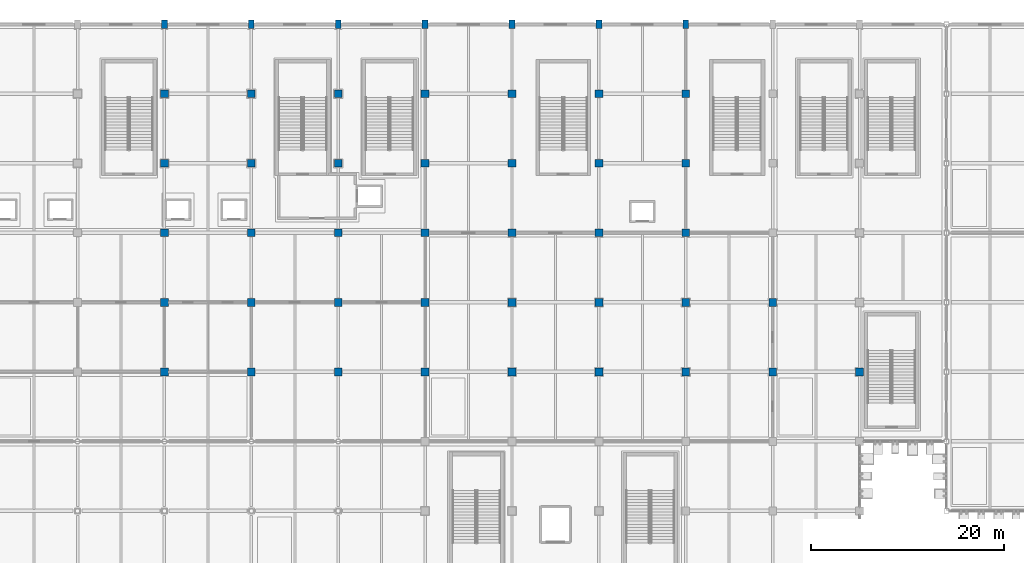
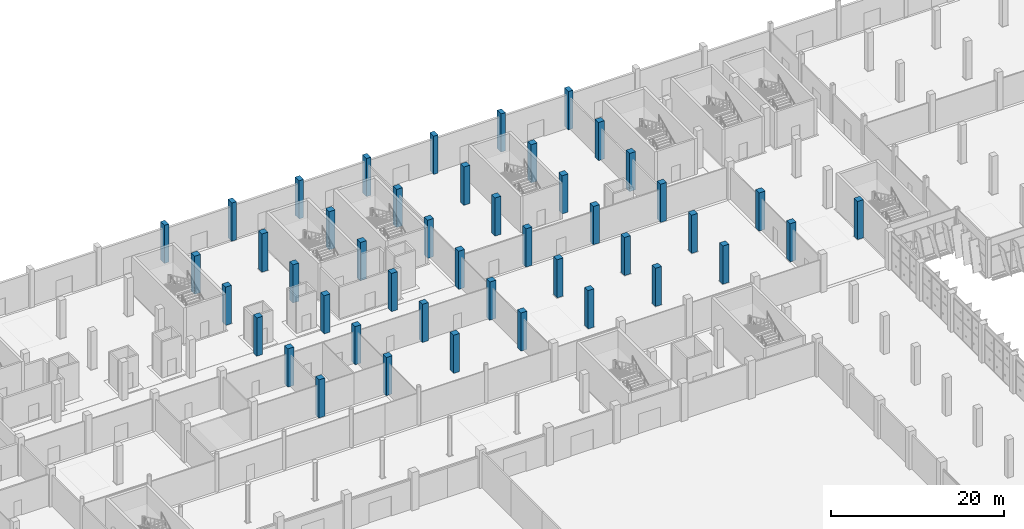
# One storey, part 14 of 137: 45 columns.
"""IFC4 building model written with IfcOpenShell, lengths in metres."""

import ifcopenshell
import ifcopenshell.guid

model = None  # the IFC model being written
_history = None  # IfcOwnerHistory: only IFC2X3 demands one
_inside = {}  # id of a spatial element -> (the spatial element, [elements in it])
_under = {}  # id of a project, library or spatial element -> (it, [spatial elements below it])
_declared = {}  # id of a project -> (the project, [libraries it declares])
_typed = {}  # id of a type object -> (the type object, [elements of that type])
_made_of = {}  # id of a material, layer set ... -> (it, [elements and type objects made of it])


def new_model(schema):
    """Start an empty IFC model of exactly this schema.

    Asked for "IFC4X3", IfcOpenShell would pick the latest addendum, in which some entities
    have other attributes; the version numbers below select the first issue.
    IFC2X3 requires an IfcOwnerHistory on every rooted entity: one is made here for all.
    """
    global model, _history
    if schema == "IFC4X3":
        model = ifcopenshell.file(schema_version=(4, 3, 0, 0))
    else:
        model = ifcopenshell.file(schema=schema)
    _inside.clear()
    _under.clear()
    _declared.clear()
    _typed.clear()
    _made_of.clear()
    _history = None
    if model.schema == "IFC2X3":
        org = make("IfcOrganization", Name="unknown")
        user = make(
            "IfcPersonAndOrganization",
            ThePerson=make("IfcPerson", FamilyName="unknown"),
            TheOrganization=org,
        )
        app = make(
            "IfcApplication",
            ApplicationDeveloper=org,
            Version="unknown",
            ApplicationFullName="unknown",
            ApplicationIdentifier="unknown",
        )
        _history = make(
            "IfcOwnerHistory",
            OwningUser=user,
            OwningApplication=app,
            ChangeAction="ADDED",
            CreationDate=0,
        )
    return model


def make(cls, **values):
    """One entity of the class cls with the attributes given. An attribute that is None is left unset."""
    return model.create_entity(
        cls, **{name: value for name, value in values.items() if value is not None}
    )


def rooted(cls, **values):
    """An entity with a GlobalId (a new one), such as an element, a storey or a relation."""
    return make(cls, GlobalId=ifcopenshell.guid.new(), OwnerHistory=_history, **values)


def si_unit(unit_type, name, prefix=None):
    """IfcSIUnit, for example si_unit("LENGTHUNIT", "METRE", prefix="MILLI")."""
    return make("IfcSIUnit", UnitType=unit_type, Prefix=prefix, Name=name)


def assignment(units):
    """IfcUnitAssignment: the units of a project."""
    return None if units is None else make("IfcUnitAssignment", Units=units)


def point(xyz):
    """IfcCartesianPoint."""
    return None if xyz is None else make("IfcCartesianPoint", Coordinates=xyz)


def direction(xyz):
    """IfcDirection."""
    return None if xyz is None else make("IfcDirection", DirectionRatios=xyz)


def frame(location, z_axis=None, x_axis=None):
    """IfcAxis2Placement3D, a coordinate frame: its origin and axes. An axis left out is left unset."""
    return make(
        "IfcAxis2Placement3D",
        Location=point(location),
        Axis=direction(z_axis),
        RefDirection=direction(x_axis),
    )


def frame_2d(location, x_axis=None):
    """IfcAxis2Placement2D, a coordinate frame in the plane: its origin and x axis."""
    return make(
        "IfcAxis2Placement2D", Location=point(location), RefDirection=direction(x_axis)
    )


def origin():
    """The frame at (0, 0, 0) with its axes left unset."""
    return frame((0.0, 0.0, 0.0))


def origin_2d():
    """The frame at (0, 0) in the plane with its x axis left unset."""
    return frame_2d((0.0, 0.0))


def place(relative_to, where):
    """IfcLocalPlacement: puts the frame where relative to a parent placement (None: the world)."""
    return make(
        "IfcLocalPlacement", PlacementRelTo=relative_to, RelativePlacement=where
    )


def context(
    kind, dimensions, precision=None, world=None, true_north=None, identifier=None
):
    """IfcGeometricRepresentationContext, for example the 3D "Model" context."""
    return make(
        "IfcGeometricRepresentationContext",
        ContextIdentifier=identifier,
        ContextType=kind,
        CoordinateSpaceDimension=dimensions,
        Precision=precision,
        WorldCoordinateSystem=world,
        TrueNorth=true_north,
    )


def subcontext(parent, identifier, kind, view, scale=None):
    """IfcGeometricRepresentationSubContext, for example "Body" below "Model"."""
    return make(
        "IfcGeometricRepresentationSubContext",
        ContextIdentifier=identifier,
        ContextType=kind,
        ParentContext=parent,
        TargetScale=scale,
        TargetView=view,
    )


def project(units=None, contexts=None):
    """IfcProject with its units and contexts."""
    return rooted(
        "IfcProject",
        Name="project",
        RepresentationContexts=contexts,
        UnitsInContext=assignment(units),
    )


def spatial(cls, under=None, at=None, **own):
    """A site, building, storey or space (cls), placed at a placement, below another one or the project."""
    s = rooted(cls, ObjectPlacement=at, **own)
    if under is not None:
        _under.setdefault(under.id(), (under, []))[1].append(s)
    return s


def profile(cls, at=None, kind="AREA", **sizes):
    """A parametric profile (cls). Its sizes go by their IFC names, for example OverallWidth=200.0."""
    return make(cls, ProfileType=kind, Position=at, **sizes)


def rectangle(**sizes):
    """IfcRectangleProfileDef."""
    return profile("IfcRectangleProfileDef", **sizes)


def extrude(swept, where, along, depth):
    """IfcExtrudedAreaSolid: the profile swept, set in the frame where, extruded along a direction by depth."""
    return make(
        "IfcExtrudedAreaSolid",
        SweptArea=swept,
        Position=where,
        ExtrudedDirection=direction(along),
        Depth=depth,
    )


def shape(context_of_items, identifier, shape_type, items):
    """IfcShapeRepresentation: the items that make up one representation, for example the "Body"."""
    return make(
        "IfcShapeRepresentation",
        ContextOfItems=context_of_items,
        RepresentationIdentifier=identifier,
        RepresentationType=shape_type,
        Items=items,
    )


def material(Name=None, Category=None):
    """IfcMaterial."""
    return make("IfcMaterial", Name=Name, Category=Category)


def material_profile(
    of_material, cross_section, Name=None, Category=None, Priority=None
):
    """IfcMaterialProfile: a cross section and its material."""
    return make(
        "IfcMaterialProfile",
        Name=Name,
        Material=of_material,
        Profile=cross_section,
        Priority=Priority,
        Category=Category,
    )


def profile_set(profiles, Name=None, composite=None):
    """IfcMaterialProfileSet."""
    return make(
        "IfcMaterialProfileSet",
        Name=Name,
        MaterialProfiles=profiles,
        CompositeProfile=composite,
    )


def made_of(thing, what):
    """Note that an element or type object is made of a material, layer set ...; save() writes the relation."""
    if what is not None:
        _made_of.setdefault(what.id(), (what, []))[1].append(thing)
    return thing


def type_object(cls, material=None, **own):
    """A type object (cls), such as IfcWallType, which elements share."""
    return made_of(rooted(cls, **own), material)


def element(
    cls,
    number,
    at=None,
    inside=None,
    cuts=None,
    type_object=None,
    material=None,
    context=None,
    identifier="Body",
    shape_type=None,
    held_by="IfcProductDefinitionShape",
    body=None,
    shapes=None,
    **own,
):
    """One element of the class cls, such as IfcWall. Its Tag is "e" and its number.

    at: its placement. inside: the storey or other place that contains it. cuts: it is an
    opening in that element (IfcRelVoidsElement). A single representation is given by context,
    identifier, shape_type and body (its items); several are given by shapes. held_by: the class
    of the entity that holds the representations. save() writes the other relations.
    """
    e = rooted(cls, Tag="e%d" % number, ObjectPlacement=at, **own)
    if body is not None:
        shapes = [shape(context, identifier, shape_type, body)]
    if shapes is not None:
        e.Representation = make(held_by, Representations=shapes)
    if inside is not None:
        _inside.setdefault(inside.id(), (inside, []))[1].append(e)
    if cuts is not None:
        rooted(
            "IfcRelVoidsElement", RelatingBuildingElement=cuts, RelatedOpeningElement=e
        )
    if type_object is not None:
        _typed.setdefault(type_object.id(), (type_object, []))[1].append(e)
    return made_of(e, material)


def aggregate(whole, parts):
    """IfcRelAggregates: a whole, such as a stair, and the parts it consists of."""
    return rooted("IfcRelAggregates", RelatingObject=whole, RelatedObjects=parts)


def save(model, path):
    """Write the relations noted so far, then the file.

    IfcRelAggregates (storeys below a building ...), IfcRelContainedInSpatialStructure (elements
    in a storey), IfcRelDefinesByType, IfcRelAssociatesMaterial and IfcRelDeclares: one each for
    every whole, place, type object, material and project.
    """
    for whole, parts in _under.values():
        aggregate(whole, parts)
    for where, things in _inside.values():
        rooted(
            "IfcRelContainedInSpatialStructure",
            RelatedElements=things,
            RelatingStructure=where,
        )
    for kind, things in _typed.values():
        rooted("IfcRelDefinesByType", RelatedObjects=things, RelatingType=kind)
    for what, things in _made_of.values():
        rooted("IfcRelAssociatesMaterial", RelatedObjects=things, RelatingMaterial=what)
    for by, libraries in _declared.values():
        rooted("IfcRelDeclares", RelatingContext=by, RelatedDefinitions=libraries)
    model.write(path)


model = new_model("IFC4")

# Units and contexts
model_context = context("Model", 3, precision=1e-05, world=origin(), true_north=direction((0.0, 1.0)))
body_context = subcontext(model_context, "Body", "Model", "MODEL_VIEW")
ifc_project = project(units=[si_unit("LENGTHUNIT", "METRE"), si_unit("AREAUNIT", "SQUARE_METRE"), si_unit("VOLUMEUNIT", "CUBIC_METRE"), si_unit("PLANEANGLEUNIT", "RADIAN"), si_unit("MASSUNIT", "GRAM", prefix="KILO")], contexts=[model_context])

# Site, building, storey
site_placement = place(None, origin())
site = spatial("IfcSite", under=ifc_project, at=site_placement, CompositionType="ELEMENT")
building_placement = place(site_placement, origin())
building = spatial("IfcBuilding", under=site, at=building_placement, Name="Celestram Park Convention Centre", CompositionType="ELEMENT")
storey_placement = place(building_placement, origin())
storey = spatial("IfcBuildingStorey", under=building, at=storey_placement, Name="L00", CompositionType="ELEMENT", Elevation=0.0)

# Columns
ifc_material = material(Name="Concrete C40/50", Category="concrete")
ifc_material_profile_1 = material_profile(ifc_material, rectangle(XDim=0.800048828125, YDim=0.800048828125, at=origin_2d()), Name="RC800X800")
ifc_profile_set_1 = profile_set([ifc_material_profile_1], Name="Concrete C40/50")
column_type_1 = type_object("IfcColumnType", Name="STR-COL-RC800", PredefinedType="COLUMN", material=ifc_profile_set_1)
for number, where, z_axis, x_axis, name in (
    (1, (72.0, 129.60009765625, 0.0), (0.0, 0.0, 1.0), (1.0, 0.0, 0.0), "Column CN-L00-099"),
    (2, (72.0, 136.800048828125, 0.0), (0.0, 0.0, 1.0), (1.0, 0.0, 0.0), "Column CN-L00-100"),
    (3, (72.0, 144.0, 0.0), (0.0, 0.0, 1.0), (1.0, 0.0, 0.0), "Column CN-L00-101"),
    (4, (72.0, 151.199951171875, 0.0), (0.0, 0.0, 1.0), (1.0, 0.0, 0.0), "Column CN-L00-102"),
    (5, (72.0, 158.39990234375, 0.0), (0.0, 0.0, 1.0), (1.0, 0.0, 0.0), "Column CN-L00-103"),
    (6, (81.0, 129.60009765625, 0.0), (0.0, 0.0, 1.0), (1.0, 0.0, 0.0), "Column CN-L00-112"),
    (7, (81.0, 136.800048828125, 0.0), (0.0, 0.0, 1.0), (1.0, 0.0, 0.0), "Column CN-L00-113"),
    (8, (81.0, 144.0, 0.0), (0.0, 0.0, 1.0), (1.0, 0.0, 0.0), "Column CN-L00-114"),
    (9, (81.0, 151.199951171875, 0.0), (0.0, 0.0, 1.0), (1.0, 0.0, 0.0), "Column CN-L00-115"),
    (10, (81.0, 158.39990234375, 0.0), (0.0, 0.0, 1.0), (1.0, 0.0, 0.0), "Column CN-L00-116"),
    (11, (90.0, 129.60009765625, 0.0), (0.0, 0.0, 1.0), (1.0, 0.0, 0.0), "Column CN-L00-125"),
    (12, (90.0, 136.800048828125, 0.0), (0.0, 0.0, 1.0), (1.0, 0.0, 0.0), "Column CN-L00-126"),
    (13, (90.0, 144.0, 0.0), (0.0, 0.0, 1.0), (1.0, 0.0, 0.0), "Column CN-L00-127"),
    (14, (90.0, 151.199951171875, 0.0), (0.0, 0.0, 1.0), (1.0, 0.0, 0.0), "Column CN-L00-128"),
    (15, (90.0, 158.39990234375, 0.0), (0.0, 0.0, 1.0), (1.0, 0.0, 0.0), "Column CN-L00-129"),
    (16, (99.0, 129.60009765625, 0.0), (0.0, 0.0, 1.0), (1.0, 0.0, 0.0), "Column CN-L00-138"),
    (17, (99.0, 136.800048828125, 0.0), (0.0, 0.0, 1.0), (1.0, 0.0, 0.0), "Column CN-L00-139"),
    (18, (99.0, 144.0, 0.0), (0.0, 0.0, 1.0), (1.0, 0.0, 0.0), "Column CN-L00-140"),
    (19, (99.0, 151.199951171875, 0.0), (0.0, 0.0, 1.0), (1.0, 0.0, 0.0), "Column CN-L00-141"),
    (20, (99.0, 158.39990234375, 0.0), (0.0, 0.0, 1.0), (1.0, 0.0, 0.0), "Column CN-L00-142"),
    (21, (108.0, 129.60009765625, 0.0), (0.0, 0.0, 1.0), (1.0, 0.0, 0.0), "Column CN-L00-151"),
    (22, (108.0, 136.800048828125, 0.0), (0.0, 0.0, 1.0), (1.0, 0.0, 0.0), "Column CN-L00-152"),
    (23, (108.0, 144.0, 0.0), (0.0, 0.0, 1.0), (1.0, 0.0, 0.0), "Column CN-L00-153"),
    (24, (108.0, 151.199951171875, 0.0), (0.0, 0.0, 1.0), (1.0, 0.0, 0.0), "Column CN-L00-154"),
    (25, (108.0, 158.39990234375, 0.0), (0.0, 0.0, 1.0), (1.0, 0.0, 0.0), "Column CN-L00-155"),
    (26, (117.0, 129.60009765625, 0.0), (0.0, 0.0, 1.0), (1.0, 0.0, 0.0), "Column CN-L00-164"),
    (27, (117.0, 136.800048828125, 0.0), (0.0, 0.0, 1.0), (1.0, 0.0, 0.0), "Column CN-L00-165"),
    (28, (117.0, 144.0, 0.0), (0.0, 0.0, 1.0), (1.0, 0.0, 0.0), "Column CN-L00-166"),
    (29, (117.0, 151.199951171875, 0.0), (0.0, 0.0, 1.0), (1.0, 0.0, 0.0), "Column CN-L00-167"),
    (30, (117.0, 158.39990234375, 0.0), (0.0, 0.0, 1.0), (1.0, 0.0, 0.0), "Column CN-L00-168"),
    (31, (126.0, 129.60009765625, 0.0), (0.0, 0.0, 1.0), (1.0, 0.0, 0.0), "Column CN-L00-185"),
    (32, (126.0, 136.800048828125, 0.0), (0.0, 0.0, 1.0), (1.0, 0.0, 0.0), "Column CN-L00-186"),
    (33, (126.0, 144.0, 0.0), (0.0, 0.0, 1.0), (1.0, 0.0, 0.0), "Column CN-L00-187"),
    (34, (126.0, 151.199951171875, 0.0), (0.0, 0.0, 1.0), (1.0, 0.0, 0.0), "Column CN-L00-188"),
    (35, (126.0, 158.39990234375, 0.0), (0.0, 0.0, 1.0), (1.0, 0.0, 0.0), "Column CN-L00-189"),
    (36, (135.0, 129.60009765625, 0.0), (0.0, 0.0, 1.0), (1.0, 0.0, 0.0), "Column CN-L00-206"),
    (37, (135.0, 136.800048828125, 0.0), (0.0, 0.0, 1.0), (1.0, 0.0, 0.0), "Column CN-L00-207"),
    (38, (144.0, 129.60009765625, 0.0), (0.0, 0.0, 1.0), (1.0, 0.0, 0.0), "Column CN-L00-230"),
):
    element("IfcColumn", number, at=place(storey_placement, frame(where, z_axis=z_axis, x_axis=x_axis)), inside=storey, type_object=column_type_1, Name=name, PredefinedType="COLUMN", context=body_context, shape_type="SweptSolid", body=[
        extrude(rectangle(XDim=0.800048828125, YDim=0.800048828125, at=origin_2d()), origin(), (0.0, 0.0, 1.0), 5.39990234375),
    ])
ifc_material_profile_2 = material_profile(ifc_material, rectangle(XDim=0.60009765625, YDim=0.89990234375, at=origin_2d()), Name="RC900X600")
ifc_profile_set_2 = profile_set([ifc_material_profile_2], Name="Concrete C40/50")
column_type_2 = type_object("IfcColumnType", Name="STR-COL-RC900X600", PredefinedType="COLUMN", material=ifc_profile_set_2)
for number, where, z_axis, x_axis, name in (
    (39, (72.0, 165.60009765625, 0.0), (0.0, 0.0, 1.0), (1.0, 0.0, 0.0), "Column CN-L00-104"),
    (40, (81.0, 165.60009765625, 0.0), (0.0, 0.0, 1.0), (1.0, 0.0, 0.0), "Column CN-L00-117"),
    (41, (90.0, 165.60009765625, 0.0), (0.0, 0.0, 1.0), (1.0, 0.0, 0.0), "Column CN-L00-130"),
    (42, (99.0, 165.60009765625, 0.0), (0.0, 0.0, 1.0), (1.0, 0.0, 0.0), "Column CN-L00-143"),
    (43, (108.0, 165.60009765625, 0.0), (0.0, 0.0, 1.0), (1.0, 0.0, 0.0), "Column CN-L00-156"),
    (44, (117.0, 165.60009765625, 0.0), (0.0, 0.0, 1.0), (1.0, 0.0, 0.0), "Column CN-L00-169"),
    (45, (126.0, 165.60009765625, 0.0), (0.0, 0.0, 1.0), (1.0, 0.0, 0.0), "Column CN-L00-190"),
):
    element("IfcColumn", number, at=place(storey_placement, frame(where, z_axis=z_axis, x_axis=x_axis)), inside=storey, type_object=column_type_2, Name=name, PredefinedType="COLUMN", context=body_context, shape_type="SweptSolid", body=[
        extrude(rectangle(XDim=0.60009765625, YDim=0.89990234375, at=origin_2d()), origin(), (0.0, 0.0, 1.0), 5.39990234375),
    ])

save(model, "model.ifc")
